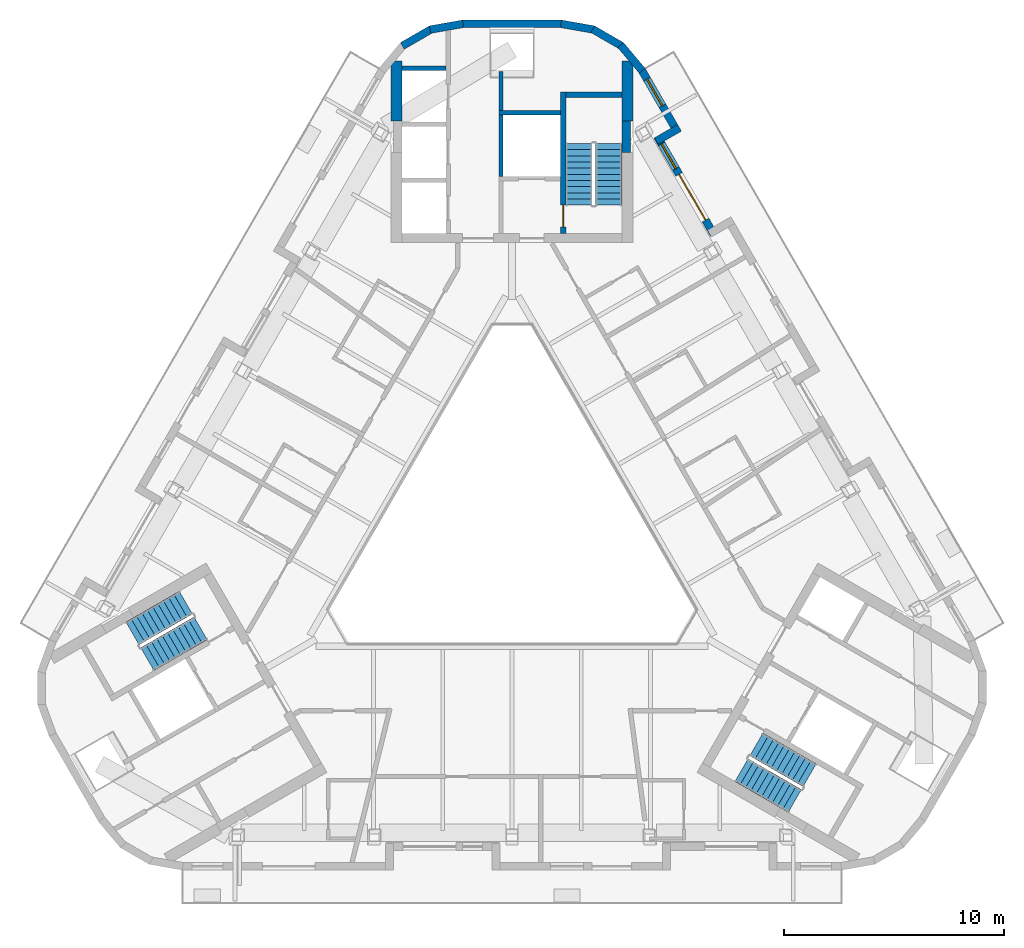
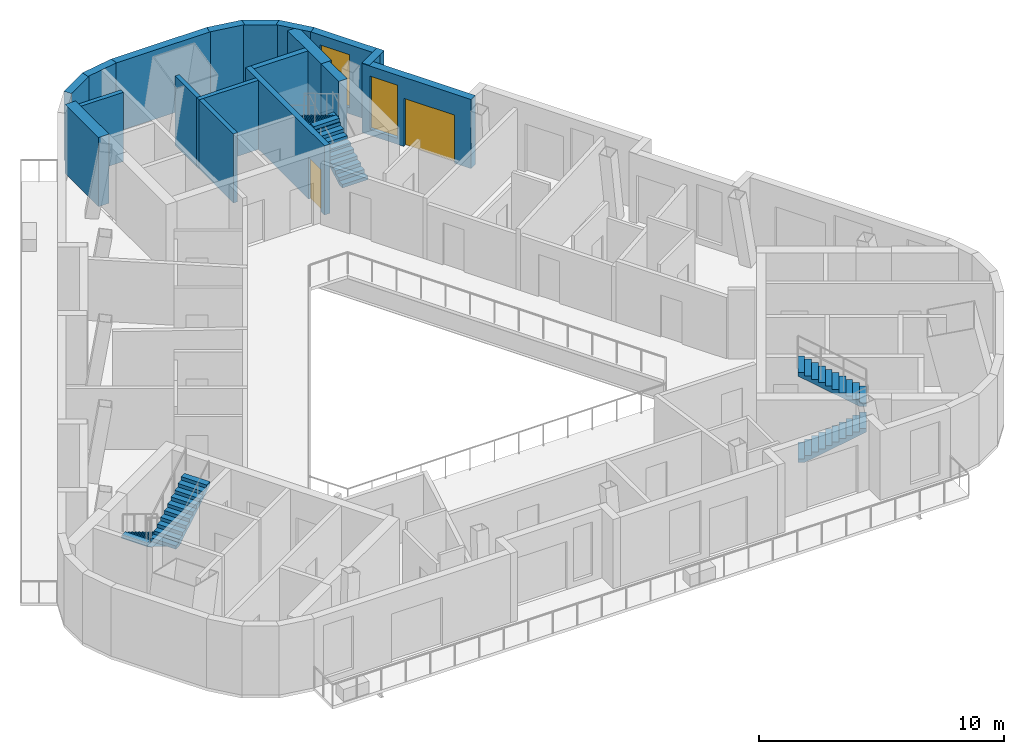
# One storey, part 7 of 11: 18 walls, 6 stair flights, 2 doors, 2 windows, 4 openings, 3 elements without a shape of their own.
"""IFC4 building model written with IfcOpenShell, lengths in metres."""

from ifc_helpers import new_model, si_unit, direction, frame, frame_2d, origin, place, context, subcontext, project, spatial, polyline, rectangle, outline, extrude, material, layer, layer_set, type_object, element, fill, aggregate, save


model = new_model("IFC4")

# Units and contexts
model_context = context("Model", 3, precision=1e-05, world=origin(), true_north=direction((0.0, 1.0)))
body_context = subcontext(model_context, "Body", "Model", "MODEL_VIEW")
ifc_project = project(units=[si_unit("LENGTHUNIT", "METRE"), si_unit("AREAUNIT", "SQUARE_METRE"), si_unit("VOLUMEUNIT", "CUBIC_METRE"), si_unit("PLANEANGLEUNIT", "RADIAN"), si_unit("MASSUNIT", "GRAM", prefix="KILO")], contexts=[model_context])

# Site, building, storey
site_placement = place(None, origin())
site = spatial("IfcSite", under=ifc_project, at=site_placement, CompositionType="ELEMENT")
building_placement = place(site_placement, origin())
building = spatial("IfcBuilding", under=site, at=building_placement, Name="Apuvela Tower Hotel", CompositionType="ELEMENT")
storey_placement = place(building_placement, frame((0.0, 0.0, 328.10009765625)))
storey = spatial("IfcBuildingStorey", under=building, at=storey_placement, Name="L82", CompositionType="ELEMENT", Elevation=328.10009765625)

# Walls
ifc_material_1 = material(Name="Concrete C50/60", Category="concrete")
ifc_layer_1 = layer(ifc_material_1, 0.39990234375)
ifc_layer_set_1 = layer_set([ifc_layer_1], Name="COR-WALL-CORE-400")
wall_type_1 = type_object("IfcWallType", Name="COR-WALL-CORE-400", PredefinedType="SHEAR", material=ifc_layer_set_1)
wall_1_placement = place(storey_placement, frame((5.199951171875, 16.984619140625, 0.0), z_axis=(0.0, 0.0, 1.0), x_axis=(0.0, 1.0, 0.0)))
element("IfcWall", 1, at=wall_1_placement, inside=storey, type_object=wall_type_1, Name="Core wall N", PredefinedType="SHEAR", context=body_context, shape_type="SweptSolid", body=[
    extrude(rectangle(XDim=1.444580078125, YDim=0.39990234375, at=frame_2d((0.72216796875, 0.0))), origin(), (0.0, 0.0, 1.0), 3.449951171875),
])
ifc_layer_2 = layer(ifc_material_1, 0.5)
ifc_layer_set_2 = layer_set([ifc_layer_2], Name="COR-WALL-CORE-500")
wall_type_2 = type_object("IfcWallType", Name="COR-WALL-CORE-500", PredefinedType="SHEAR", material=ifc_layer_set_2)
for number, where, z_axis, x_axis, name in (
    (2, (5.25, 18.42919921875, 0.0), (0.0, 0.0, 1.0), (0.0, 1.0, 0.0), "Core wall N"),
    (3, (-5.25, 18.42919921875, 0.0), (0.0, 0.0, 1.0), (0.0, 1.0, 0.0), "Core wall N"),
):
    element("IfcWall", number, at=place(storey_placement, frame(where, z_axis=z_axis, x_axis=x_axis)), inside=storey, type_object=wall_type_2, Name=name, PredefinedType="SHEAR", context=body_context, shape_type="SweptSolid", body=[
        extrude(rectangle(XDim=2.73779296875, YDim=0.5, at=frame_2d((1.368896484375, 0.0))), origin(), (0.0, 0.0, 1.0), 3.449951171875),
    ])
ifc_layer_3 = layer(ifc_material_1, 0.199951171875)
ifc_layer_set_3 = layer_set([ifc_layer_3], Name="COR-WALL-SHAFT-200")
wall_type_3 = type_object("IfcWallType", Name="COR-WALL-SHAFT-200", PredefinedType="SHEAR", material=ifc_layer_set_3)
for number, where, z_axis, x_axis, name in (
    (4, (2.199951171875, 18.800048828125, 0.0), (0.0, 0.0, 1.0), (-1.0, 0.0, 0.0), "Shaft wall N"),
    (5, (-0.5, 15.89990234375, 0.0), (0.0, 0.0, 1.0), (0.0, 1.0, 0.0), "Shaft wall N"),
):
    element("IfcWall", number, at=place(storey_placement, frame(where, z_axis=z_axis, x_axis=x_axis)), inside=storey, type_object=wall_type_3, Name=name, PredefinedType="SHEAR", context=body_context, shape_type="SweptSolid", body=[
        extrude(rectangle(XDim=2.800048828125, YDim=0.199951171875, at=frame_2d((1.39990234375, 0.0))), origin(), (0.0, 0.0, 1.0), 3.449951171875),
    ])
wall_2_placement = place(storey_placement, frame((-0.5, 18.89990234375, 0.0), z_axis=(0.0, 0.0, 1.0), x_axis=(0.0, 1.0, 0.0)))
element("IfcWall", 6, at=wall_2_placement, inside=storey, type_object=wall_type_3, Name="Shaft wall N", PredefinedType="SHEAR", context=body_context, shape_type="SweptSolid", body=[
    extrude(rectangle(XDim=1.77392578125, YDim=0.199951171875, at=frame_2d((0.886962890625, 0.0))), origin(), (0.0, 0.0, 1.0), 3.449951171875),
])
wall_3_placement = place(storey_placement, frame((-3.0, 20.820068359375, 0.0), z_axis=(0.0, 0.0, 1.0), x_axis=(-1.0, 0.0, 0.0)))
element("IfcWall", 7, at=wall_3_placement, inside=storey, type_object=wall_type_3, Name="Shaft wall N", PredefinedType="SHEAR", context=body_context, shape_type="SweptSolid", body=[
    extrude(rectangle(XDim=2.0, YDim=0.199951171875, at=frame_2d((1.0, 0.0))), origin(), (0.0, 0.0, 1.0), 3.449951171875),
])

# Wall, opening, door
ifc_layer_4 = layer(ifc_material_1, 0.25)
ifc_layer_set_4 = layer_set([ifc_layer_4], Name="COR-WALL-STAIR-250")
wall_type_4 = type_object("IfcWallType", Name="COR-WALL-STAIR-250", PredefinedType="SHEAR", material=ifc_layer_set_4)
wall_4_placement = place(storey_placement, frame((2.324951171875, 13.300048828125, 0.0), z_axis=(0.0, 0.0, 1.0), x_axis=(0.0, 1.0, 0.0)))
wall_4 = element("IfcWall", 8, at=wall_4_placement, inside=storey, type_object=wall_type_4, Name="Stair wall N", PredefinedType="SHEAR", context=body_context, shape_type="SweptSolid", body=[
    extrude(rectangle(XDim=6.449951171875, YDim=0.25, at=frame_2d((3.22509765625, 0.0))), origin(), (0.0, 0.0, 1.0), 3.449951171875),
])
opening_1_placement = place(wall_4_placement, frame((0.300048828125, 0.0, 0.0)))
opening_1 = element("IfcOpeningElement", 9, at=opening_1_placement, cuts=wall_4, Name="Opening N-SD", PredefinedType="OPENING", context=body_context, shape_type="SweptSolid", body=[
    extrude(rectangle(XDim=1.0, YDim=2.10009765625, at=frame_2d((0.5, 1.050048828125))), frame((0.0, 0.135009765625, 0.0), z_axis=(0.0, -1.0, 0.0), x_axis=(1.0, 0.0, 0.0)), (0.0, 0.0, 1.0), 0.27001953125),
])
ifc_material_2 = material(Name="Steel fire door, powder coated", Category="steel")
door_type_1 = type_object("IfcDoorType", Name="COR-SD-1000", OperationType="NOTDEFINED", PredefinedType="DOOR", material=ifc_material_2)
door_1_placement = place(opening_1_placement, frame((1.0, 0.0, 0.0), z_axis=(0.0, 0.0, 1.0), x_axis=(-1.0, 0.0, 0.0)))
door_1 = element("IfcDoor", 10, at=door_1_placement, inside=storey, type_object=door_type_1, Name="Stair door N-SD", OperationType="SINGLE_SWING_LEFT", OverallHeight=2.10009765625, OverallWidth=1.0, PredefinedType="DOOR", context=body_context, shape_type="SweptSolid", body=[
    extrude(rectangle(XDim=1.0, YDim=2.10009765625, at=frame_2d((0.5, 1.050048828125))), frame((0.0, 0.02490234375, 0.0), z_axis=(0.0, -1.0, 0.0), x_axis=(1.0, 0.0, 0.0)), (0.0, 0.0, 1.0), 0.050048828125),
])
fill(opening_1, door_1)

# Wall
wall_5_placement = place(storey_placement, frame((5.0, 19.625, 0.0), z_axis=(0.0, 0.0, 1.0), x_axis=(-1.0, 0.0, 0.0)))
element("IfcWall", 11, at=wall_5_placement, inside=storey, type_object=wall_type_4, Name="Stair wall N", PredefinedType="SHEAR", context=body_context, shape_type="SweptSolid", body=[
    extrude(rectangle(XDim=2.550048828125, YDim=0.25, at=frame_2d((1.27490234375, 0.0))), origin(), (0.0, 0.0, 1.0), 3.449951171875),
])

# Wall, openings, door, window
ifc_material_3 = material(Name="Concrete C40/50, dark pigmented precast panel", Category="concrete")
ifc_layer_5 = layer(ifc_material_3, 0.35009765625)
ifc_layer_set_5 = layer_set([ifc_layer_5], Name="ENV-WALL-350")
wall_type_5 = type_object("IfcWallType", Name="ENV-WALL-350", PredefinedType="SOLIDWALL", material=ifc_layer_set_5)
wall_6_placement = place(storey_placement, frame((9.18994140625, 13.253173828125, 0.0), z_axis=(0.0, 0.0, 1.0), x_axis=(-0.499963552308, 0.866046445846, 0.0)))
wall_6 = element("IfcWall", 12, at=wall_6_placement, inside=storey, type_object=wall_type_5, Name="External wall L82-39", PredefinedType="SOLIDWALL", context=body_context, shape_type="SweptSolid", body=[
    extrude(rectangle(XDim=5.142578125, YDim=0.35009765625, at=frame_2d((2.5712890625, 0.0))), origin(), (0.0, 0.0, 1.0), 3.449951171875),
])
opening_2_placement = place(wall_6_placement, frame((0.77001953125, 0.0, 0.0)))
opening_2 = element("IfcOpeningElement", 13, at=opening_2_placement, cuts=wall_6, Name="Opening BD24", PredefinedType="OPENING", context=body_context, shape_type="SweptSolid", body=[
    extrude(rectangle(XDim=2.39990234375, YDim=2.39990234375, at=frame_2d((1.199951171875, 1.199951171875))), frame((0.0, 0.18505859375, 0.0), z_axis=(0.0, -1.0, 0.0), x_axis=(1.0, 0.0, 0.0)), (0.0, 0.0, 1.0), 0.3701171875),
])
opening_3_placement = place(wall_6_placement, frame((3.469970703125, 0.0, 0.300048828125)))
opening_3 = element("IfcOpeningElement", 14, at=opening_3_placement, cuts=wall_6, Name="Opening WN13", PredefinedType="OPENING", context=body_context, shape_type="SweptSolid", body=[
    extrude(rectangle(XDim=1.300048828125, YDim=2.64990234375, at=frame_2d((0.64990234375, 1.324951171875))), frame((0.0, 0.18505859375, 0.0), z_axis=(0.0, -1.0, 0.0), x_axis=(1.0, 0.0, 0.0)), (0.0, 0.0, 1.0), 0.3701171875),
])
ifc_material_4 = material(Name="Aluminium 6063-T6, dark bronze anodised frame with dark tinted laminated glass", Category="aluminium")
door_type_2 = type_object("IfcDoorType", Name="ENV-DOOR-BALCONY-2400x2400", OperationType="SLIDING_TO_LEFT", PredefinedType="DOOR", material=ifc_material_4)
door_2_placement = place(opening_2_placement, frame((2.39990234375, 0.0, 0.0), z_axis=(0.0, 0.0, 1.0), x_axis=(-1.0, 0.0, 0.0)))
door_2 = element("IfcDoor", 15, at=door_2_placement, inside=storey, type_object=door_type_2, Name="Balcony door BD24", OperationType="SLIDING_TO_LEFT", OverallHeight=2.39990234375, OverallWidth=2.39990234375, PredefinedType="DOOR", context=body_context, shape_type="SweptSolid", body=[
    extrude(rectangle(XDim=2.39990234375, YDim=2.39990234375, at=frame_2d((1.199951171875, 1.199951171875))), frame((0.0, 0.02490234375, 0.0), z_axis=(0.0, -1.0, 0.0), x_axis=(1.0, 0.0, 0.0)), (0.0, 0.0, 1.0), 0.050048828125),
])
fill(opening_2, door_2)
ifc_material_5 = material(Name="Glass, dark tinted laminated insulated glazing unit", Category="glass")
window_type_1 = type_object("IfcWindowType", Name="ENV-WIN-1300x2650", PartitioningType="SINGLE_PANEL", PredefinedType="WINDOW", material=ifc_material_5)
window_1_placement = place(opening_3_placement, origin())
window_1 = element("IfcWindow", 16, at=window_1_placement, inside=storey, type_object=window_type_1, Name="Window WN13", OverallHeight=2.64990234375, OverallWidth=1.300048828125, PartitioningType="SINGLE_PANEL", PredefinedType="WINDOW", context=body_context, shape_type="SweptSolid", body=[
    extrude(rectangle(XDim=1.300048828125, YDim=2.64990234375, at=frame_2d((0.64990234375, 1.324951171875))), frame((0.0, 0.030029296875, 0.0), z_axis=(0.0, -1.0, 0.0), x_axis=(1.0, 0.0, 0.0)), (0.0, 0.0, 1.0), 0.06005859375),
])
fill(opening_3, window_1)

# Wall
wall_7_placement = place(storey_placement, frame((6.565673828125, 17.508544921875, 0.0), z_axis=(0.0, 0.0, 1.0), x_axis=(0.866005645448, 0.500034220881, 0.0)))
element("IfcWall", 17, at=wall_7_placement, inside=storey, type_object=wall_type_5, Name="External wall L82-40", PredefinedType="SOLIDWALL", context=body_context, shape_type="SweptSolid", body=[
    extrude(rectangle(XDim=1.22021484375, YDim=0.35009765625, at=frame_2d((0.610107421875, 0.0))), origin(), (0.0, 0.0, 1.0), 3.449951171875),
])

# Wall, opening, window
wall_8_placement = place(storey_placement, frame((7.55810546875, 17.87939453125, 0.0), z_axis=(0.0, 0.0, 1.0), x_axis=(-0.499967508769, 0.866044161793, 0.0)))
wall_8 = element("IfcWall", 18, at=wall_8_placement, inside=storey, type_object=wall_type_5, Name="External wall L82-41", PredefinedType="SOLIDWALL", context=body_context, shape_type="SweptSolid", body=[
    extrude(rectangle(XDim=3.305908203125, YDim=0.35009765625, at=frame_2d((1.65283203125, 0.0))), origin(), (0.0, 0.0, 1.0), 3.449951171875),
])
opening_4_placement = place(wall_8_placement, frame((1.4296875, 0.0, 0.300048828125)))
opening_4 = element("IfcOpeningElement", 19, at=opening_4_placement, cuts=wall_8, Name="Opening WN14", PredefinedType="OPENING", context=body_context, shape_type="SweptSolid", body=[
    extrude(rectangle(XDim=1.39990234375, YDim=2.64990234375, at=frame_2d((0.699951171875, 1.324951171875))), frame((0.0, 0.18505859375, 0.0), z_axis=(0.0, -1.0, 0.0), x_axis=(1.0, 0.0, 0.0)), (0.0, 0.0, 1.0), 0.3701171875),
])
window_type_2 = type_object("IfcWindowType", Name="ENV-WIN-1400x2650", PartitioningType="SINGLE_PANEL", PredefinedType="WINDOW", material=ifc_material_5)
window_2_placement = place(opening_4_placement, origin())
window_2 = element("IfcWindow", 20, at=window_2_placement, inside=storey, type_object=window_type_2, Name="Window WN14", OverallHeight=2.64990234375, OverallWidth=1.39990234375, PartitioningType="SINGLE_PANEL", PredefinedType="WINDOW", context=body_context, shape_type="SweptSolid", body=[
    extrude(rectangle(XDim=1.39990234375, YDim=2.64990234375, at=frame_2d((0.699951171875, 1.324951171875))), frame((0.0, 0.030029296875, 0.0), z_axis=(0.0, -1.0, 0.0), x_axis=(1.0, 0.0, 0.0)), (0.0, 0.0, 1.0), 0.06005859375),
])
fill(opening_4, window_2)

# Walls
for number, where, z_axis, x_axis, name in (
    (21, (5.9228515625, 20.717529296875, 0.0), (0.0, 0.0, 1.0), (-0.642812493629, 0.766023562323, 0.0), "External wall L82-42"),
    (22, (4.98974609375, 21.845703125, 0.0), (0.0, 0.0, 1.0), (-0.865996139065, 0.500050684555, 0.0), "External wall L82-43"),
):
    element("IfcWall", number, at=place(storey_placement, frame(where, z_axis=z_axis, x_axis=x_axis)), inside=storey, type_object=wall_type_5, Name=name, PredefinedType="SOLIDWALL", context=body_context, shape_type="SweptSolid", body=[
        extrude(rectangle(XDim=1.523681640625, YDim=0.35009765625, at=frame_2d((0.76171875, 0.0))), origin(), (0.0, 0.0, 1.0), 3.449951171875),
    ])
wall_9_placement = place(storey_placement, frame((3.727294921875, 22.5869140625, 0.0), z_axis=(0.0, 0.0, 1.0), x_axis=(-0.984804518596, 0.173666519954, 0.0)))
element("IfcWall", 23, at=wall_9_placement, inside=storey, type_object=wall_type_5, Name="External wall L82-44", PredefinedType="SOLIDWALL", context=body_context, shape_type="SweptSolid", body=[
    extrude(rectangle(XDim=1.52392578125, YDim=0.35009765625, at=frame_2d((0.761962890625, 0.0))), origin(), (0.0, 0.0, 1.0), 3.449951171875),
])
wall_10_placement = place(storey_placement, frame((2.2568359375, 22.848876953125, 0.0), z_axis=(0.0, 0.0, 1.0), x_axis=(-1.0, 0.0, 0.0)))
element("IfcWall", 24, at=wall_10_placement, inside=storey, type_object=wall_type_5, Name="External wall L82-45", PredefinedType="SOLIDWALL", context=body_context, shape_type="SweptSolid", body=[
    extrude(rectangle(XDim=4.513671875, YDim=0.35009765625, at=frame_2d((2.2568359375, 0.0))), origin(), (0.0, 0.0, 1.0), 3.449951171875),
])
wall_11_placement = place(storey_placement, frame((-2.2265625, 22.8515625, 0.0), z_axis=(0.0, 0.0, 1.0), x_axis=(-0.984804518596, -0.173666519954, 0.0)))
element("IfcWall", 25, at=wall_11_placement, inside=storey, type_object=wall_type_5, Name="External wall L82-46", PredefinedType="SOLIDWALL", context=body_context, shape_type="SweptSolid", body=[
    extrude(rectangle(XDim=1.52392578125, YDim=0.35009765625, at=frame_2d((0.761962890625, 0.0))), origin(), (0.0, 0.0, 1.0), 3.449951171875),
])
wall_12_placement = place(storey_placement, frame((-3.670166015625, 22.607666015625, 0.0), z_axis=(0.0, 0.0, 1.0), x_axis=(-0.865996139065, -0.500050684555, 0.0)))
element("IfcWall", 26, at=wall_12_placement, inside=storey, type_object=wall_type_5, Name="External wall L82-47", PredefinedType="SOLIDWALL", context=body_context, shape_type="SweptSolid", body=[
    extrude(rectangle(XDim=1.523681640625, YDim=0.35009765625, at=frame_2d((0.76171875, 0.0))), origin(), (0.0, 0.0, 1.0), 3.449951171875),
])

# Stair, stair flights
stair_type = type_object("IfcStairType", Name="COR-STAIR-22R", PredefinedType="HALF_TURN_STAIR", material=ifc_material_1)
stair_1_placement = place(storey_placement, origin())
stair_1 = element("IfcStair", 27, at=stair_1_placement, inside=storey, type_object=stair_type, Name="L82 Exit stair ST1", PredefinedType="HALF_TURN_STAIR")
stair_flight_type = type_object("IfcStairFlightType", Name="COR-FLIGHT-11R", PredefinedType="STRAIGHT", material=ifc_material_1)
stair_flight_1_placement = place(storey_placement, frame((4.39990234375, 14.60009765625, 0.0), z_axis=(0.0, 0.0, 1.0), x_axis=(0.0, 1.0, 0.0)))
stair_flight_1 = element("IfcStairFlight", 28, at=stair_flight_1_placement, type_object=stair_flight_type, Name="ST1 flight 1", NumberOfRisers=11, NumberOfTreads=10, PredefinedType="STRAIGHT", RiserHeight=0.168181818, TreadLength=0.28, context=body_context, shape_type="SweptSolid", body=[
    extrude(outline(polyline([(0.0, 0.0), (0.0, 0.168212890625), (0.280029296875, 0.168212890625), (0.280029296875, 0.33642578125), (0.56005859375, 0.33642578125), (0.56005859375, 0.504638671875), (0.840087890625, 0.504638671875), (0.840087890625, 0.672607421875), (1.1201171875, 0.672607421875), (1.1201171875, 0.8408203125), (1.39990234375, 0.8408203125), (1.39990234375, 1.009033203125), (1.679931640625, 1.009033203125), (1.679931640625, 1.17724609375), (1.9599609375, 1.17724609375), (1.9599609375, 1.345458984375), (2.239990234375, 1.345458984375), (2.239990234375, 1.513671875), (2.52001953125, 1.513671875), (2.52001953125, 1.681884765625), (2.800048828125, 1.681884765625), (2.800048828125, 1.85009765625), (2.800048828125, 1.5068359375), (0.291015625, 0.0), (0.0, 0.0)])), frame((0.0, 0.60009765625, 0.0), z_axis=(0.0, -1.0, 0.0), x_axis=(1.0, 0.0, 0.0)), (0.0, 0.0, 1.0), 1.199951171875),
])
stair_flight_2_placement = place(storey_placement, frame((3.050048828125, 17.39990234375, 1.849853515625), z_axis=(0.0, 0.0, 1.0), x_axis=(0.0, -1.0, 0.0)))
stair_flight_2 = element("IfcStairFlight", 29, at=stair_flight_2_placement, type_object=stair_flight_type, Name="ST1 flight 2", NumberOfRisers=11, NumberOfTreads=10, PredefinedType="STRAIGHT", RiserHeight=0.168181818, TreadLength=0.28, context=body_context, shape_type="SweptSolid", body=[
    extrude(outline(polyline([(0.0, 0.0), (0.0, 0.168212890625), (0.280029296875, 0.168212890625), (0.280029296875, 0.33642578125), (0.56005859375, 0.33642578125), (0.56005859375, 0.504638671875), (0.840087890625, 0.504638671875), (0.840087890625, 0.672607421875), (1.1201171875, 0.672607421875), (1.1201171875, 0.8408203125), (1.39990234375, 0.8408203125), (1.39990234375, 1.009033203125), (1.679931640625, 1.009033203125), (1.679931640625, 1.17724609375), (1.9599609375, 1.17724609375), (1.9599609375, 1.345458984375), (2.239990234375, 1.345458984375), (2.239990234375, 1.513671875), (2.52001953125, 1.513671875), (2.52001953125, 1.681884765625), (2.800048828125, 1.681884765625), (2.800048828125, 1.85009765625), (2.800048828125, 1.5068359375), (0.291015625, 0.0), (0.0, 0.0)])), frame((0.0, 0.60009765625, 0.0), z_axis=(0.0, -1.0, 0.0), x_axis=(1.0, 0.0, 0.0)), (0.0, 0.0, 1.0), 1.199951171875),
])
aggregate(stair_1, [stair_flight_1, stair_flight_2])

stair_2_placement = place(storey_placement, origin())
stair_2 = element("IfcStair", 30, at=stair_2_placement, inside=storey, type_object=stair_type, Name="L82 Exit stair ST2", PredefinedType="HALF_TURN_STAIR")
stair_flight_3_placement = place(storey_placement, frame((-14.843994140625, -3.489501953125, 0.0), z_axis=(0.0, 0.0, 1.0), x_axis=(-0.866025403784, -0.5, 0.0)))
stair_flight_3 = element("IfcStairFlight", 31, at=stair_flight_3_placement, type_object=stair_flight_type, Name="ST2 flight 1", NumberOfRisers=11, NumberOfTreads=10, PredefinedType="STRAIGHT", RiserHeight=0.168181818, TreadLength=0.28, context=body_context, shape_type="SweptSolid", body=[
    extrude(outline(polyline([(0.0, 0.0), (0.0, 0.168212890625), (0.280029296875, 0.168212890625), (0.280029296875, 0.33642578125), (0.56005859375, 0.33642578125), (0.56005859375, 0.504638671875), (0.840087890625, 0.504638671875), (0.840087890625, 0.672607421875), (1.1201171875, 0.672607421875), (1.1201171875, 0.8408203125), (1.39990234375, 0.8408203125), (1.39990234375, 1.009033203125), (1.679931640625, 1.009033203125), (1.679931640625, 1.17724609375), (1.9599609375, 1.17724609375), (1.9599609375, 1.345458984375), (2.239990234375, 1.345458984375), (2.239990234375, 1.513671875), (2.52001953125, 1.513671875), (2.52001953125, 1.681884765625), (2.800048828125, 1.681884765625), (2.800048828125, 1.85009765625), (2.800048828125, 1.5068359375), (0.291015625, 0.0), (0.0, 0.0)])), frame((0.0, 0.60009765625, 0.0), z_axis=(0.0, -1.0, 0.0), x_axis=(1.0, 0.0, 0.0)), (0.0, 0.0, 1.0), 1.199951171875),
])
stair_flight_4_placement = place(storey_placement, frame((-16.59375, -6.05859375, 1.849853515625), z_axis=(0.0, 0.0, 1.0), x_axis=(0.866025403784, 0.5, 0.0)))
stair_flight_4 = element("IfcStairFlight", 32, at=stair_flight_4_placement, type_object=stair_flight_type, Name="ST2 flight 2", NumberOfRisers=11, NumberOfTreads=10, PredefinedType="STRAIGHT", RiserHeight=0.168181818, TreadLength=0.28, context=body_context, shape_type="SweptSolid", body=[
    extrude(outline(polyline([(0.0, 0.0), (0.0, 0.168212890625), (0.280029296875, 0.168212890625), (0.280029296875, 0.33642578125), (0.56005859375, 0.33642578125), (0.56005859375, 0.504638671875), (0.840087890625, 0.504638671875), (0.840087890625, 0.672607421875), (1.1201171875, 0.672607421875), (1.1201171875, 0.8408203125), (1.39990234375, 0.8408203125), (1.39990234375, 1.009033203125), (1.679931640625, 1.009033203125), (1.679931640625, 1.17724609375), (1.9599609375, 1.17724609375), (1.9599609375, 1.345458984375), (2.239990234375, 1.345458984375), (2.239990234375, 1.513671875), (2.52001953125, 1.513671875), (2.52001953125, 1.681884765625), (2.800048828125, 1.681884765625), (2.800048828125, 1.85009765625), (2.800048828125, 1.5068359375), (0.291015625, 0.0), (0.0, 0.0)])), frame((0.0, 0.60009765625, 0.0), z_axis=(0.0, -1.0, 0.0), x_axis=(1.0, 0.0, 0.0)), (0.0, 0.0, 1.0), 1.199951171875),
])
aggregate(stair_2, [stair_flight_3, stair_flight_4])

stair_3_placement = place(storey_placement, origin())
stair_3 = element("IfcStair", 33, at=stair_3_placement, inside=storey, type_object=stair_type, Name="L82 Exit stair ST3", PredefinedType="HALF_TURN_STAIR")
stair_flight_5_placement = place(storey_placement, frame((10.444091796875, -11.110595703125, 0.0), z_axis=(0.0, 0.0, 1.0), x_axis=(0.866025403784, -0.5, 0.0)))
stair_flight_5 = element("IfcStairFlight", 34, at=stair_flight_5_placement, type_object=stair_flight_type, Name="ST3 flight 1", NumberOfRisers=11, NumberOfTreads=10, PredefinedType="STRAIGHT", RiserHeight=0.168181818, TreadLength=0.28, context=body_context, shape_type="SweptSolid", body=[
    extrude(outline(polyline([(0.0, 0.0), (0.0, 0.168212890625), (0.280029296875, 0.168212890625), (0.280029296875, 0.33642578125), (0.56005859375, 0.33642578125), (0.56005859375, 0.504638671875), (0.840087890625, 0.504638671875), (0.840087890625, 0.672607421875), (1.1201171875, 0.672607421875), (1.1201171875, 0.8408203125), (1.39990234375, 0.8408203125), (1.39990234375, 1.009033203125), (1.679931640625, 1.009033203125), (1.679931640625, 1.17724609375), (1.9599609375, 1.17724609375), (1.9599609375, 1.345458984375), (2.239990234375, 1.345458984375), (2.239990234375, 1.513671875), (2.52001953125, 1.513671875), (2.52001953125, 1.681884765625), (2.800048828125, 1.681884765625), (2.800048828125, 1.85009765625), (2.800048828125, 1.5068359375), (0.291015625, 0.0), (0.0, 0.0)])), frame((0.0, 0.60009765625, 0.0), z_axis=(0.0, -1.0, 0.0), x_axis=(1.0, 0.0, 0.0)), (0.0, 0.0, 1.0), 1.199951171875),
])
stair_flight_6_placement = place(storey_placement, frame((13.5439453125, -11.34130859375, 1.849853515625), z_axis=(0.0, 0.0, 1.0), x_axis=(-0.866025403784, 0.5, 0.0)))
stair_flight_6 = element("IfcStairFlight", 35, at=stair_flight_6_placement, type_object=stair_flight_type, Name="ST3 flight 2", NumberOfRisers=11, NumberOfTreads=10, PredefinedType="STRAIGHT", RiserHeight=0.168181818, TreadLength=0.28, context=body_context, shape_type="SweptSolid", body=[
    extrude(outline(polyline([(0.0, 0.0), (0.0, 0.168212890625), (0.280029296875, 0.168212890625), (0.280029296875, 0.33642578125), (0.56005859375, 0.33642578125), (0.56005859375, 0.504638671875), (0.840087890625, 0.504638671875), (0.840087890625, 0.672607421875), (1.1201171875, 0.672607421875), (1.1201171875, 0.8408203125), (1.39990234375, 0.8408203125), (1.39990234375, 1.009033203125), (1.679931640625, 1.009033203125), (1.679931640625, 1.17724609375), (1.9599609375, 1.17724609375), (1.9599609375, 1.345458984375), (2.239990234375, 1.345458984375), (2.239990234375, 1.513671875), (2.52001953125, 1.513671875), (2.52001953125, 1.681884765625), (2.800048828125, 1.681884765625), (2.800048828125, 1.85009765625), (2.800048828125, 1.5068359375), (0.291015625, 0.0), (0.0, 0.0)])), frame((0.0, 0.60009765625, 0.0), z_axis=(0.0, -1.0, 0.0), x_axis=(1.0, 0.0, 0.0)), (0.0, 0.0, 1.0), 1.199951171875),
])
aggregate(stair_3, [stair_flight_5, stair_flight_6])

save(model, "model.ifc")
